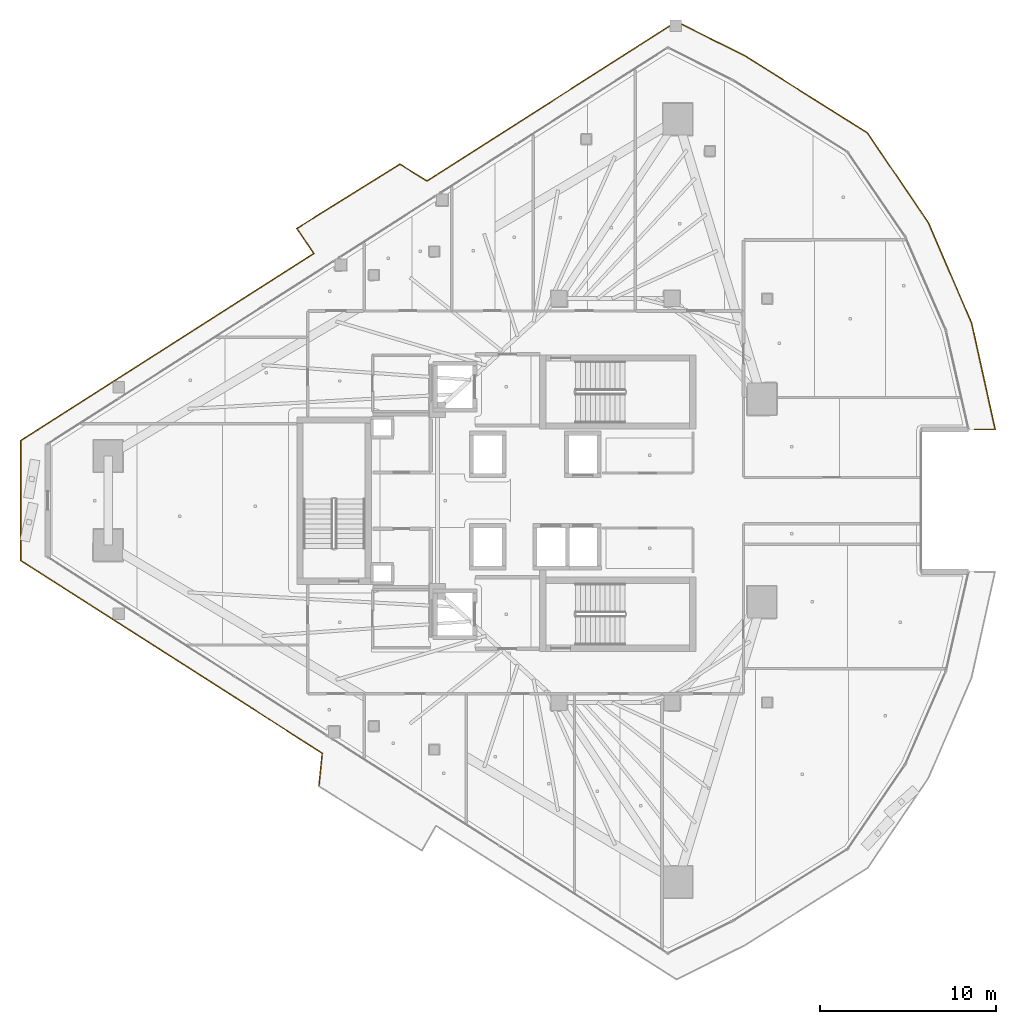
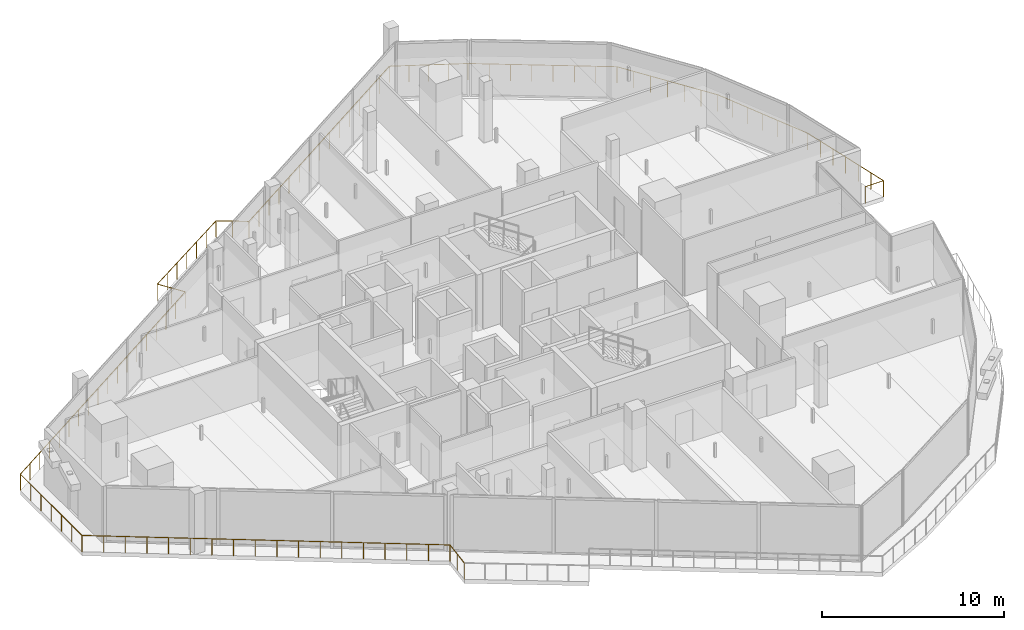
# One storey, part 32 of 36: 1 railing.
"""IFC4 building model written with IfcOpenShell, lengths in metres."""

from ifc_helpers import new_model, si_unit, direction, frame, origin, origin_2d, place, context, subcontext, project, spatial, circle, extrude, material, type_object, element, save


model = new_model("IFC4")

# Units and contexts
model_context = context("Model", 3, precision=1e-05, world=origin(), true_north=direction((0.0, 1.0)))
body_context = subcontext(model_context, "Body", "Model", "MODEL_VIEW")
ifc_project = project(units=[si_unit("LENGTHUNIT", "METRE"), si_unit("AREAUNIT", "SQUARE_METRE"), si_unit("VOLUMEUNIT", "CUBIC_METRE"), si_unit("PLANEANGLEUNIT", "RADIAN"), si_unit("MASSUNIT", "GRAM", prefix="KILO")], contexts=[model_context])

# Site, building, storey
site_placement = place(None, origin())
site = spatial("IfcSite", under=ifc_project, at=site_placement, CompositionType="ELEMENT")
building_placement = place(site_placement, origin())
building = spatial("IfcBuilding", under=site, at=building_placement, Name="Qorvath Tower", CompositionType="ELEMENT")
storey_placement = place(building_placement, frame((0.0, 0.0, 241.5)))
storey = spatial("IfcBuildingStorey", under=building, at=storey_placement, Name="L56", CompositionType="ELEMENT", Elevation=241.5)

# Railing
ifc_material = material(Name="Laminated safety glass and stainless steel AISI 316", Category="steel")
railing_type = type_object("IfcRailingType", Name="RL-EXT-GRD", PredefinedType="GUARDRAIL", material=ifc_material)
railing_placement = place(storey_placement, frame((-37.223876953125, -16.2138671875, 0.0)))
element("IfcRailing", 1, at=railing_placement, inside=storey, type_object=railing_type, Name="Loggia Perimeter Guardrail L56-1.1", PredefinedType="GUARDRAIL", context=body_context, shape_type="SweptSolid", body=[
    extrude(circle(Radius=0.02392578125, at=origin_2d()), frame((0.0, 0.0, 1.09619140625), z_axis=(0.098777834388, 0.995109511277, 0.0), x_axis=(-0.995109511277, 0.098777834388, 0.0)), (0.0, 0.0, 1.0), 1.898193359375),
    extrude(circle(Radius=0.02392578125, at=origin_2d()), frame((0.1875, 1.888916015625, 1.09619140625), z_axis=(-0.842603764859, 0.538534024409, 0.0), x_axis=(-0.538534024409, -0.842603764859, 0.0)), (0.0, 0.0, 1.0), 20.29443359375),
    extrude(circle(Radius=0.02392578125, at=origin_2d()), frame((-16.91259765625, 12.818115234375, 1.09619140625), z_axis=(0.0, 1.0, 0.0), x_axis=(-1.0, 0.0, 0.0)), (0.0, 0.0, 1.0), 6.79150390625),
    extrude(circle(Radius=0.02392578125, at=origin_2d()), frame((-16.91259765625, 19.609619140625, 1.09619140625), z_axis=(0.84260112433, 0.538538155824, 0.0), x_axis=(-0.538538155824, 0.84260112433, 0.0)), (0.0, 0.0, 1.0), 19.731201171875),
    extrude(circle(Radius=0.02392578125, at=origin_2d()), frame((-0.287109375, 30.235595703125, 1.09619140625), z_axis=(-0.564325255812, 0.825552545664, 0.0), x_axis=(-0.825552545664, -0.564325255812, 0.0)), (0.0, 0.0, 1.0), 1.70849609375),
    extrude(circle(Radius=0.02392578125, at=origin_2d()), frame((-1.251220703125, 31.64599609375, 1.09619140625), z_axis=(0.848042108762, 0.529928845946, 0.0), x_axis=(-0.529928845946, 0.848042108762, 0.0)), (0.0, 0.0, 1.0), 6.887939453125),
    extrude(circle(Radius=0.02392578125, at=origin_2d()), frame((4.590087890625, 35.296142578125, 1.09619140625), z_axis=(0.851076867056, -0.525041109212, 0.0), x_axis=(0.525041109212, 0.851076867056, 0.0)), (0.0, 0.0, 1.0), 1.818115234375),
    extrude(circle(Radius=0.02392578125, at=origin_2d()), frame((6.137451171875, 34.341552734375, 1.09619140625), z_axis=(0.842601467851, 0.538537618347, 0.0), x_axis=(-0.538537618347, 0.842601467851, 0.0)), (0.0, 0.0, 1.0), 16.783447265625),
    extrude(circle(Radius=0.02392578125, at=origin_2d()), frame((20.279296875, 43.380126953125, 1.09619140625), z_axis=(0.894427191, -0.4472135955, 0.0), x_axis=(0.4472135955, 0.894427191, 0.0)), (0.0, 0.0, 1.0), 4.3388671875),
    extrude(circle(Radius=0.02392578125, at=origin_2d()), frame((24.16015625, 41.439697265625, 1.09619140625), z_axis=(0.846493807587, -0.532398566599, 0.0), x_axis=(0.532398566599, 0.846493807587, 0.0)), (0.0, 0.0, 1.0), 8.21435546875),
    extrude(circle(Radius=0.02392578125, at=origin_2d()), frame((31.113525390625, 37.06640625, 1.09619140625), z_axis=(0.560832414772, -0.827929346346, 0.0), x_axis=(0.827929346346, 0.560832414772, 0.0)), (0.0, 0.0, 1.0), 6.17724609375),
    extrude(circle(Radius=0.02392578125, at=origin_2d()), frame((34.577880859375, 31.9521484375, 1.09619140625), z_axis=(0.395483357671, -0.91847314267, 0.0), x_axis=(0.91847314267, 0.395483357671, 0.0)), (0.0, 0.0, 1.0), 6.177001953125),
    extrude(circle(Radius=0.02392578125, at=origin_2d()), frame((37.020751953125, 26.27880859375, 1.09619140625), z_axis=(0.216072491468, -0.9763773238, 0.0), x_axis=(0.9763773238, 0.216072491468, 0.0)), (0.0, 0.0, 1.0), 6.17724609375),
    extrude(circle(Radius=0.02392578125, at=origin_2d()), frame((38.35546875, 20.24755859375, 1.09619140625), z_axis=(-1.0, 0.0, 0.0), x_axis=(0.0, -1.0, 0.0)), (0.0, 0.0, 1.0), 1.158935546875),
    extrude(circle(Radius=0.02099609375, at=origin_2d()), origin(), (0.0, 0.0, 1.0), 1.072021484375),
    extrude(circle(Radius=0.02099609375, at=origin_2d()), frame((0.09375, 0.9443359375, 0.0)), (0.0, 0.0, 1.0), 1.072021484375),
    extrude(circle(Radius=0.02099609375, at=origin_2d()), frame((0.1875, 1.888916015625, 0.0)), (0.0, 0.0, 1.0), 1.072021484375),
    extrude(circle(Radius=0.02099609375, at=origin_2d()), frame((-0.818359375, 2.53173828125, 0.0)), (0.0, 0.0, 1.0), 1.072021484375),
    extrude(circle(Radius=0.02099609375, at=origin_2d()), frame((-1.82421875, 3.1748046875, 0.0)), (0.0, 0.0, 1.0), 1.072021484375),
    extrude(circle(Radius=0.02099609375, at=origin_2d()), frame((-2.830078125, 3.817626953125, 0.0)), (0.0, 0.0, 1.0), 1.072021484375),
    extrude(circle(Radius=0.02099609375, at=origin_2d()), frame((-3.8359375, 4.46044921875, 0.0)), (0.0, 0.0, 1.0), 1.072021484375),
    extrude(circle(Radius=0.02099609375, at=origin_2d()), frame((-4.842041015625, 5.103271484375, 0.0)), (0.0, 0.0, 1.0), 1.072021484375),
    extrude(circle(Radius=0.02099609375, at=origin_2d()), frame((-5.847900390625, 5.746337890625, 0.0)), (0.0, 0.0, 1.0), 1.072021484375),
    extrude(circle(Radius=0.02099609375, at=origin_2d()), frame((-6.853759765625, 6.38916015625, 0.0)), (0.0, 0.0, 1.0), 1.072021484375),
    extrude(circle(Radius=0.02099609375, at=origin_2d()), frame((-7.859619140625, 7.031982421875, 0.0)), (0.0, 0.0, 1.0), 1.072021484375),
    extrude(circle(Radius=0.02099609375, at=origin_2d()), frame((-8.865478515625, 7.675048828125, 0.0)), (0.0, 0.0, 1.0), 1.072021484375),
    extrude(circle(Radius=0.02099609375, at=origin_2d()), frame((-9.871337890625, 8.31787109375, 0.0)), (0.0, 0.0, 1.0), 1.072021484375),
    extrude(circle(Radius=0.02099609375, at=origin_2d()), frame((-10.877197265625, 8.960693359375, 0.0)), (0.0, 0.0, 1.0), 1.072021484375),
    extrude(circle(Radius=0.02099609375, at=origin_2d()), frame((-11.883056640625, 9.603759765625, 0.0)), (0.0, 0.0, 1.0), 1.072021484375),
    extrude(circle(Radius=0.02099609375, at=origin_2d()), frame((-12.88916015625, 10.24658203125, 0.0)), (0.0, 0.0, 1.0), 1.072021484375),
    extrude(circle(Radius=0.02099609375, at=origin_2d()), frame((-13.89501953125, 10.889404296875, 0.0)), (0.0, 0.0, 1.0), 1.072021484375),
    extrude(circle(Radius=0.02099609375, at=origin_2d()), frame((-14.90087890625, 11.5322265625, 0.0)), (0.0, 0.0, 1.0), 1.072021484375),
    extrude(circle(Radius=0.02099609375, at=origin_2d()), frame((-15.90673828125, 12.17529296875, 0.0)), (0.0, 0.0, 1.0), 1.072021484375),
    extrude(circle(Radius=0.02099609375, at=origin_2d()), frame((-16.91259765625, 12.818115234375, 0.0)), (0.0, 0.0, 1.0), 1.072021484375),
    extrude(circle(Radius=0.02099609375, at=origin_2d()), frame((-16.91259765625, 13.949951171875, 0.0)), (0.0, 0.0, 1.0), 1.072021484375),
    extrude(circle(Radius=0.02099609375, at=origin_2d()), frame((-16.91259765625, 15.08203125, 0.0)), (0.0, 0.0, 1.0), 1.072021484375),
    extrude(circle(Radius=0.02099609375, at=origin_2d()), frame((-16.91259765625, 16.2138671875, 0.0)), (0.0, 0.0, 1.0), 1.072021484375),
    extrude(circle(Radius=0.02099609375, at=origin_2d()), frame((-16.91259765625, 17.345703125, 0.0)), (0.0, 0.0, 1.0), 1.072021484375),
    extrude(circle(Radius=0.02099609375, at=origin_2d()), frame((-16.91259765625, 18.477783203125, 0.0)), (0.0, 0.0, 1.0), 1.072021484375),
    extrude(circle(Radius=0.02099609375, at=origin_2d()), frame((-16.91259765625, 19.609619140625, 0.0)), (0.0, 0.0, 1.0), 1.072021484375),
    extrude(circle(Radius=0.02099609375, at=origin_2d()), frame((-15.9345703125, 20.234619140625, 0.0)), (0.0, 0.0, 1.0), 1.072021484375),
    extrude(circle(Radius=0.02099609375, at=origin_2d()), frame((-14.95654296875, 20.859619140625, 0.0)), (0.0, 0.0, 1.0), 1.072021484375),
    extrude(circle(Radius=0.02099609375, at=origin_2d()), frame((-13.978759765625, 21.48486328125, 0.0)), (0.0, 0.0, 1.0), 1.072021484375),
    extrude(circle(Radius=0.02099609375, at=origin_2d()), frame((-13.000732421875, 22.10986328125, 0.0)), (0.0, 0.0, 1.0), 1.072021484375),
    extrude(circle(Radius=0.02099609375, at=origin_2d()), frame((-12.022705078125, 22.73486328125, 0.0)), (0.0, 0.0, 1.0), 1.072021484375),
    extrude(circle(Radius=0.02099609375, at=origin_2d()), frame((-11.044677734375, 23.35986328125, 0.0)), (0.0, 0.0, 1.0), 1.072021484375),
    extrude(circle(Radius=0.02099609375, at=origin_2d()), frame((-10.06689453125, 23.985107421875, 0.0)), (0.0, 0.0, 1.0), 1.072021484375),
    extrude(circle(Radius=0.02099609375, at=origin_2d()), frame((-9.0888671875, 24.610107421875, 0.0)), (0.0, 0.0, 1.0), 1.072021484375),
    extrude(circle(Radius=0.02099609375, at=origin_2d()), frame((-8.11083984375, 25.235107421875, 0.0)), (0.0, 0.0, 1.0), 1.072021484375),
    extrude(circle(Radius=0.02099609375, at=origin_2d()), frame((-7.1328125, 25.860107421875, 0.0)), (0.0, 0.0, 1.0), 1.072021484375),
    extrude(circle(Radius=0.02099609375, at=origin_2d()), frame((-6.155029296875, 26.4853515625, 0.0)), (0.0, 0.0, 1.0), 1.072021484375),
    extrude(circle(Radius=0.02099609375, at=origin_2d()), frame((-5.177001953125, 27.1103515625, 0.0)), (0.0, 0.0, 1.0), 1.072021484375),
    extrude(circle(Radius=0.02099609375, at=origin_2d()), frame((-4.198974609375, 27.7353515625, 0.0)), (0.0, 0.0, 1.0), 1.072021484375),
    extrude(circle(Radius=0.02099609375, at=origin_2d()), frame((-3.220947265625, 28.3603515625, 0.0)), (0.0, 0.0, 1.0), 1.072021484375),
    extrude(circle(Radius=0.02099609375, at=origin_2d()), frame((-2.2431640625, 28.985595703125, 0.0)), (0.0, 0.0, 1.0), 1.072021484375),
    extrude(circle(Radius=0.02099609375, at=origin_2d()), frame((-1.26513671875, 29.610595703125, 0.0)), (0.0, 0.0, 1.0), 1.072021484375),
    extrude(circle(Radius=0.02099609375, at=origin_2d()), frame((-0.287109375, 30.235595703125, 0.0)), (0.0, 0.0, 1.0), 1.072021484375),
    extrude(circle(Radius=0.02099609375, at=origin_2d()), frame((-0.76904296875, 30.94091796875, 0.0)), (0.0, 0.0, 1.0), 1.072021484375),
    extrude(circle(Radius=0.02099609375, at=origin_2d()), frame((-1.251220703125, 31.64599609375, 0.0)), (0.0, 0.0, 1.0), 1.072021484375),
    extrude(circle(Radius=0.02099609375, at=origin_2d()), frame((-0.277587890625, 32.25439453125, 0.0)), (0.0, 0.0, 1.0), 1.072021484375),
    extrude(circle(Radius=0.02099609375, at=origin_2d()), frame((0.69580078125, 32.86279296875, 0.0)), (0.0, 0.0, 1.0), 1.072021484375),
    extrude(circle(Radius=0.02099609375, at=origin_2d()), frame((1.66943359375, 33.47119140625, 0.0)), (0.0, 0.0, 1.0), 1.072021484375),
    extrude(circle(Radius=0.02099609375, at=origin_2d()), frame((2.64306640625, 34.079345703125, 0.0)), (0.0, 0.0, 1.0), 1.072021484375),
    extrude(circle(Radius=0.02099609375, at=origin_2d()), frame((3.616455078125, 34.687744140625, 0.0)), (0.0, 0.0, 1.0), 1.072021484375),
    extrude(circle(Radius=0.02099609375, at=origin_2d()), frame((4.590087890625, 35.296142578125, 0.0)), (0.0, 0.0, 1.0), 1.072021484375),
    extrude(circle(Radius=0.02099609375, at=origin_2d()), frame((5.36376953125, 34.81884765625, 0.0)), (0.0, 0.0, 1.0), 1.072021484375),
    extrude(circle(Radius=0.02099609375, at=origin_2d()), frame((6.137451171875, 34.341552734375, 0.0)), (0.0, 0.0, 1.0), 1.072021484375),
    extrude(circle(Radius=0.02099609375, at=origin_2d()), frame((7.1474609375, 34.987060546875, 0.0)), (0.0, 0.0, 1.0), 1.072021484375),
    extrude(circle(Radius=0.02099609375, at=origin_2d()), frame((8.15771484375, 35.6328125, 0.0)), (0.0, 0.0, 1.0), 1.072021484375),
    extrude(circle(Radius=0.02099609375, at=origin_2d()), frame((9.16796875, 36.2783203125, 0.0)), (0.0, 0.0, 1.0), 1.072021484375),
    extrude(circle(Radius=0.02099609375, at=origin_2d()), frame((10.177978515625, 36.924072265625, 0.0)), (0.0, 0.0, 1.0), 1.072021484375),
    extrude(circle(Radius=0.02099609375, at=origin_2d()), frame((11.18798828125, 37.569580078125, 0.0)), (0.0, 0.0, 1.0), 1.072021484375),
    extrude(circle(Radius=0.02099609375, at=origin_2d()), frame((12.1982421875, 38.21533203125, 0.0)), (0.0, 0.0, 1.0), 1.072021484375),
    extrude(circle(Radius=0.02099609375, at=origin_2d()), frame((13.20849609375, 38.86083984375, 0.0)), (0.0, 0.0, 1.0), 1.072021484375),
    extrude(circle(Radius=0.02099609375, at=origin_2d()), frame((14.218505859375, 39.50634765625, 0.0)), (0.0, 0.0, 1.0), 1.072021484375),
    extrude(circle(Radius=0.02099609375, at=origin_2d()), frame((15.228515625, 40.152099609375, 0.0)), (0.0, 0.0, 1.0), 1.072021484375),
    extrude(circle(Radius=0.02099609375, at=origin_2d()), frame((16.23876953125, 40.797607421875, 0.0)), (0.0, 0.0, 1.0), 1.072021484375),
    extrude(circle(Radius=0.02099609375, at=origin_2d()), frame((17.2490234375, 41.443359375, 0.0)), (0.0, 0.0, 1.0), 1.072021484375),
    extrude(circle(Radius=0.02099609375, at=origin_2d()), frame((18.259033203125, 42.0888671875, 0.0)), (0.0, 0.0, 1.0), 1.072021484375),
    extrude(circle(Radius=0.02099609375, at=origin_2d()), frame((19.26904296875, 42.734619140625, 0.0)), (0.0, 0.0, 1.0), 1.072021484375),
    extrude(circle(Radius=0.02099609375, at=origin_2d()), frame((20.279296875, 43.380126953125, 0.0)), (0.0, 0.0, 1.0), 1.072021484375),
    extrude(circle(Radius=0.02099609375, at=origin_2d()), frame((21.24951171875, 42.89501953125, 0.0)), (0.0, 0.0, 1.0), 1.072021484375),
    extrude(circle(Radius=0.02099609375, at=origin_2d()), frame((22.2197265625, 42.409912109375, 0.0)), (0.0, 0.0, 1.0), 1.072021484375),
    extrude(circle(Radius=0.02099609375, at=origin_2d()), frame((23.18994140625, 41.9248046875, 0.0)), (0.0, 0.0, 1.0), 1.072021484375),
    extrude(circle(Radius=0.02099609375, at=origin_2d()), frame((24.16015625, 41.439697265625, 0.0)), (0.0, 0.0, 1.0), 1.072021484375),
    extrude(circle(Radius=0.02099609375, at=origin_2d()), frame((25.153564453125, 40.81494140625, 0.0)), (0.0, 0.0, 1.0), 1.072021484375),
    extrude(circle(Radius=0.02099609375, at=origin_2d()), frame((26.146728515625, 40.190185546875, 0.0)), (0.0, 0.0, 1.0), 1.072021484375),
    extrude(circle(Radius=0.02099609375, at=origin_2d()), frame((27.14013671875, 39.5654296875, 0.0)), (0.0, 0.0, 1.0), 1.072021484375),
    extrude(circle(Radius=0.02099609375, at=origin_2d()), frame((28.133544921875, 38.940673828125, 0.0)), (0.0, 0.0, 1.0), 1.072021484375),
    extrude(circle(Radius=0.02099609375, at=origin_2d()), frame((29.126953125, 38.31591796875, 0.0)), (0.0, 0.0, 1.0), 1.072021484375),
    extrude(circle(Radius=0.02099609375, at=origin_2d()), frame((30.1201171875, 37.691162109375, 0.0)), (0.0, 0.0, 1.0), 1.072021484375),
    extrude(circle(Radius=0.02099609375, at=origin_2d()), frame((31.113525390625, 37.06640625, 0.0)), (0.0, 0.0, 1.0), 1.072021484375),
    extrude(circle(Radius=0.02099609375, at=origin_2d()), frame((31.69091796875, 36.214111328125, 0.0)), (0.0, 0.0, 1.0), 1.072021484375),
    extrude(circle(Radius=0.02099609375, at=origin_2d()), frame((32.268310546875, 35.361572265625, 0.0)), (0.0, 0.0, 1.0), 1.072021484375),
    extrude(circle(Radius=0.02099609375, at=origin_2d()), frame((32.845703125, 34.50927734375, 0.0)), (0.0, 0.0, 1.0), 1.072021484375),
    extrude(circle(Radius=0.02099609375, at=origin_2d()), frame((33.423095703125, 33.656982421875, 0.0)), (0.0, 0.0, 1.0), 1.072021484375),
    extrude(circle(Radius=0.02099609375, at=origin_2d()), frame((34.00048828125, 32.804443359375, 0.0)), (0.0, 0.0, 1.0), 1.072021484375),
    extrude(circle(Radius=0.02099609375, at=origin_2d()), frame((34.577880859375, 31.9521484375, 0.0)), (0.0, 0.0, 1.0), 1.072021484375),
    extrude(circle(Radius=0.02099609375, at=origin_2d()), frame((34.985107421875, 31.006591796875, 0.0)), (0.0, 0.0, 1.0), 1.072021484375),
    extrude(circle(Radius=0.02099609375, at=origin_2d()), frame((35.39208984375, 30.06103515625, 0.0)), (0.0, 0.0, 1.0), 1.072021484375),
    extrude(circle(Radius=0.02099609375, at=origin_2d()), frame((35.79931640625, 29.115478515625, 0.0)), (0.0, 0.0, 1.0), 1.072021484375),
    extrude(circle(Radius=0.02099609375, at=origin_2d()), frame((36.20654296875, 28.169921875, 0.0)), (0.0, 0.0, 1.0), 1.072021484375),
    extrude(circle(Radius=0.02099609375, at=origin_2d()), frame((36.613525390625, 27.224365234375, 0.0)), (0.0, 0.0, 1.0), 1.072021484375),
    extrude(circle(Radius=0.02099609375, at=origin_2d()), frame((37.020751953125, 26.27880859375, 0.0)), (0.0, 0.0, 1.0), 1.072021484375),
    extrude(circle(Radius=0.02099609375, at=origin_2d()), frame((37.2431640625, 25.273681640625, 0.0)), (0.0, 0.0, 1.0), 1.072021484375),
    extrude(circle(Radius=0.02099609375, at=origin_2d()), frame((37.465576171875, 24.268310546875, 0.0)), (0.0, 0.0, 1.0), 1.072021484375),
    extrude(circle(Radius=0.02099609375, at=origin_2d()), frame((37.68798828125, 23.26318359375, 0.0)), (0.0, 0.0, 1.0), 1.072021484375),
    extrude(circle(Radius=0.02099609375, at=origin_2d()), frame((37.91064453125, 22.258056640625, 0.0)), (0.0, 0.0, 1.0), 1.072021484375),
    extrude(circle(Radius=0.02099609375, at=origin_2d()), frame((38.133056640625, 21.252685546875, 0.0)), (0.0, 0.0, 1.0), 1.072021484375),
    extrude(circle(Radius=0.02099609375, at=origin_2d()), frame((38.35546875, 20.24755859375, 0.0)), (0.0, 0.0, 1.0), 1.072021484375),
    extrude(circle(Radius=0.02099609375, at=origin_2d()), frame((37.196533203125, 20.24755859375, 0.0)), (0.0, 0.0, 1.0), 1.072021484375),
])

save(model, "model.ifc")
